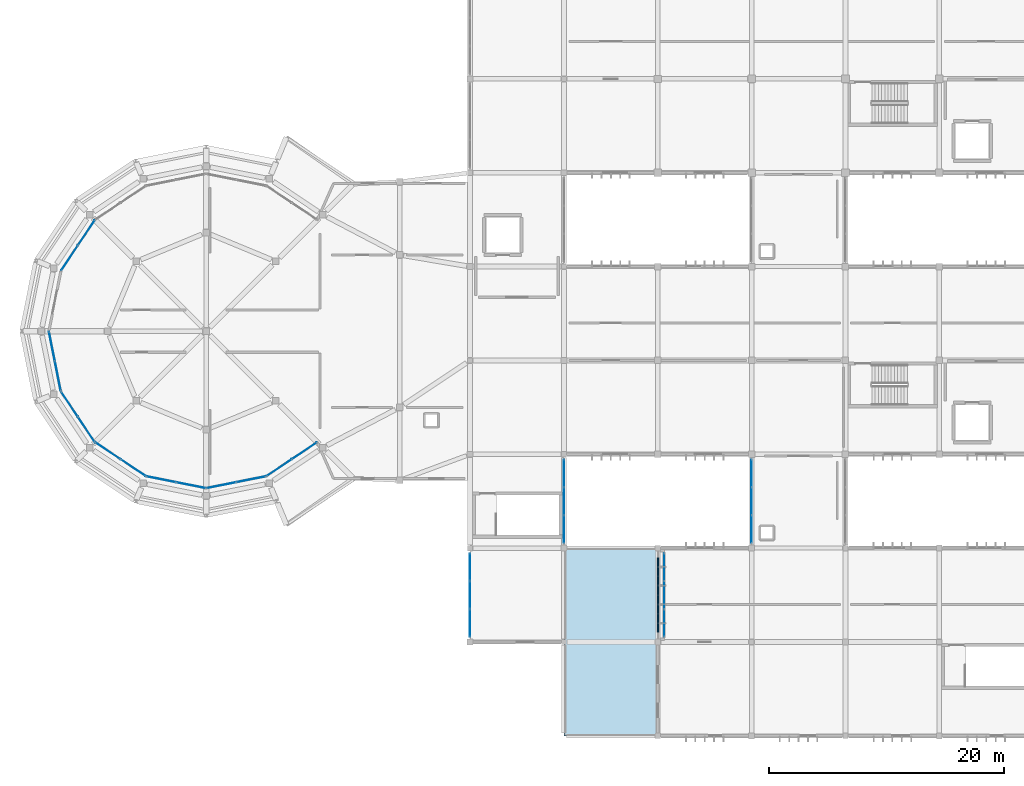
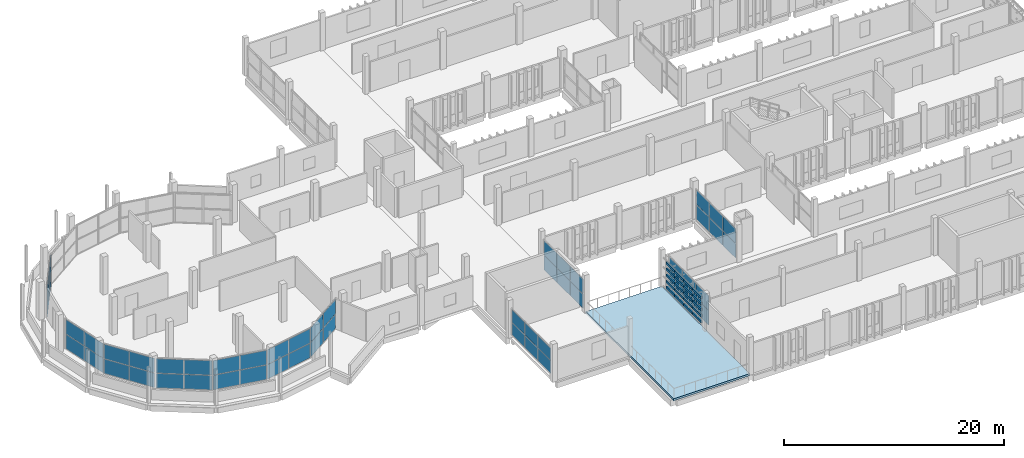
# One storey, part 39 of 63: 72 plates, 1 slab, 11 elements without a shape of their own.
"""IFC4 building model written with IfcOpenShell, lengths in metres."""

import ifcopenshell
import ifcopenshell.guid

model = None  # the IFC model being written
_history = None  # IfcOwnerHistory: only IFC2X3 demands one
_inside = {}  # id of a spatial element -> (the spatial element, [elements in it])
_under = {}  # id of a project, library or spatial element -> (it, [spatial elements below it])
_declared = {}  # id of a project -> (the project, [libraries it declares])
_typed = {}  # id of a type object -> (the type object, [elements of that type])
_made_of = {}  # id of a material, layer set ... -> (it, [elements and type objects made of it])


def new_model(schema):
    """Start an empty IFC model of exactly this schema.

    Asked for "IFC4X3", IfcOpenShell would pick the latest addendum, in which some entities
    have other attributes; the version numbers below select the first issue.
    IFC2X3 requires an IfcOwnerHistory on every rooted entity: one is made here for all.
    """
    global model, _history
    if schema == "IFC4X3":
        model = ifcopenshell.file(schema_version=(4, 3, 0, 0))
    else:
        model = ifcopenshell.file(schema=schema)
    _inside.clear()
    _under.clear()
    _declared.clear()
    _typed.clear()
    _made_of.clear()
    _history = None
    if model.schema == "IFC2X3":
        org = make("IfcOrganization", Name="unknown")
        user = make(
            "IfcPersonAndOrganization",
            ThePerson=make("IfcPerson", FamilyName="unknown"),
            TheOrganization=org,
        )
        app = make(
            "IfcApplication",
            ApplicationDeveloper=org,
            Version="unknown",
            ApplicationFullName="unknown",
            ApplicationIdentifier="unknown",
        )
        _history = make(
            "IfcOwnerHistory",
            OwningUser=user,
            OwningApplication=app,
            ChangeAction="ADDED",
            CreationDate=0,
        )
    return model


def make(cls, **values):
    """One entity of the class cls with the attributes given. An attribute that is None is left unset."""
    return model.create_entity(
        cls, **{name: value for name, value in values.items() if value is not None}
    )


def rooted(cls, **values):
    """An entity with a GlobalId (a new one), such as an element, a storey or a relation."""
    return make(cls, GlobalId=ifcopenshell.guid.new(), OwnerHistory=_history, **values)


def si_unit(unit_type, name, prefix=None):
    """IfcSIUnit, for example si_unit("LENGTHUNIT", "METRE", prefix="MILLI")."""
    return make("IfcSIUnit", UnitType=unit_type, Prefix=prefix, Name=name)


def assignment(units):
    """IfcUnitAssignment: the units of a project."""
    return None if units is None else make("IfcUnitAssignment", Units=units)


def point(xyz):
    """IfcCartesianPoint."""
    return None if xyz is None else make("IfcCartesianPoint", Coordinates=xyz)


def direction(xyz):
    """IfcDirection."""
    return None if xyz is None else make("IfcDirection", DirectionRatios=xyz)


def frame(location, z_axis=None, x_axis=None):
    """IfcAxis2Placement3D, a coordinate frame: its origin and axes. An axis left out is left unset."""
    return make(
        "IfcAxis2Placement3D",
        Location=point(location),
        Axis=direction(z_axis),
        RefDirection=direction(x_axis),
    )


def frame_2d(location, x_axis=None):
    """IfcAxis2Placement2D, a coordinate frame in the plane: its origin and x axis."""
    return make(
        "IfcAxis2Placement2D", Location=point(location), RefDirection=direction(x_axis)
    )


def origin():
    """The frame at (0, 0, 0) with its axes left unset."""
    return frame((0.0, 0.0, 0.0))


def origin_2d():
    """The frame at (0, 0) in the plane with its x axis left unset."""
    return frame_2d((0.0, 0.0))


def place(relative_to, where):
    """IfcLocalPlacement: puts the frame where relative to a parent placement (None: the world)."""
    return make(
        "IfcLocalPlacement", PlacementRelTo=relative_to, RelativePlacement=where
    )


def context(
    kind, dimensions, precision=None, world=None, true_north=None, identifier=None
):
    """IfcGeometricRepresentationContext, for example the 3D "Model" context."""
    return make(
        "IfcGeometricRepresentationContext",
        ContextIdentifier=identifier,
        ContextType=kind,
        CoordinateSpaceDimension=dimensions,
        Precision=precision,
        WorldCoordinateSystem=world,
        TrueNorth=true_north,
    )


def subcontext(parent, identifier, kind, view, scale=None):
    """IfcGeometricRepresentationSubContext, for example "Body" below "Model"."""
    return make(
        "IfcGeometricRepresentationSubContext",
        ContextIdentifier=identifier,
        ContextType=kind,
        ParentContext=parent,
        TargetScale=scale,
        TargetView=view,
    )


def project(units=None, contexts=None):
    """IfcProject with its units and contexts."""
    return rooted(
        "IfcProject",
        Name="project",
        RepresentationContexts=contexts,
        UnitsInContext=assignment(units),
    )


def spatial(cls, under=None, at=None, **own):
    """A site, building, storey or space (cls), placed at a placement, below another one or the project."""
    s = rooted(cls, ObjectPlacement=at, **own)
    if under is not None:
        _under.setdefault(under.id(), (under, []))[1].append(s)
    return s


def polyline(points):
    """IfcPolyline through the points."""
    return make("IfcPolyline", Points=[point(p) for p in points])


def profile(cls, at=None, kind="AREA", **sizes):
    """A parametric profile (cls). Its sizes go by their IFC names, for example OverallWidth=200.0."""
    return make(cls, ProfileType=kind, Position=at, **sizes)


def rectangle(**sizes):
    """IfcRectangleProfileDef."""
    return profile("IfcRectangleProfileDef", **sizes)


def outline(outer, holes=None, kind="AREA"):
    """IfcArbitraryClosedProfileDef: a profile drawn as a closed curve; with holes, ...WithVoids."""
    if holes is None:
        return make("IfcArbitraryClosedProfileDef", ProfileType=kind, OuterCurve=outer)
    return make(
        "IfcArbitraryProfileDefWithVoids",
        ProfileType=kind,
        OuterCurve=outer,
        InnerCurves=holes,
    )


def extrude(swept, where, along, depth):
    """IfcExtrudedAreaSolid: the profile swept, set in the frame where, extruded along a direction by depth."""
    return make(
        "IfcExtrudedAreaSolid",
        SweptArea=swept,
        Position=where,
        ExtrudedDirection=direction(along),
        Depth=depth,
    )


def shape(context_of_items, identifier, shape_type, items):
    """IfcShapeRepresentation: the items that make up one representation, for example the "Body"."""
    return make(
        "IfcShapeRepresentation",
        ContextOfItems=context_of_items,
        RepresentationIdentifier=identifier,
        RepresentationType=shape_type,
        Items=items,
    )


def material(Name=None, Category=None):
    """IfcMaterial."""
    return make("IfcMaterial", Name=Name, Category=Category)


def layer(
    of_material, thickness, ventilated=None, Name=None, Category=None, Priority=None
):
    """IfcMaterialLayer: one layer of a wall or slab, of a material (None: an air gap)."""
    return make(
        "IfcMaterialLayer",
        Material=of_material,
        LayerThickness=thickness,
        IsVentilated=ventilated,
        Name=Name,
        Category=Category,
        Priority=Priority,
    )


def layer_set(layers, Name=None):
    """IfcMaterialLayerSet."""
    return make("IfcMaterialLayerSet", MaterialLayers=layers, LayerSetName=Name)


def made_of(thing, what):
    """Note that an element or type object is made of a material, layer set ...; save() writes the relation."""
    if what is not None:
        _made_of.setdefault(what.id(), (what, []))[1].append(thing)
    return thing


def type_object(cls, material=None, **own):
    """A type object (cls), such as IfcWallType, which elements share."""
    return made_of(rooted(cls, **own), material)


def element(
    cls,
    number,
    at=None,
    inside=None,
    cuts=None,
    type_object=None,
    material=None,
    context=None,
    identifier="Body",
    shape_type=None,
    held_by="IfcProductDefinitionShape",
    body=None,
    shapes=None,
    **own,
):
    """One element of the class cls, such as IfcWall. Its Tag is "e" and its number.

    at: its placement. inside: the storey or other place that contains it. cuts: it is an
    opening in that element (IfcRelVoidsElement). A single representation is given by context,
    identifier, shape_type and body (its items); several are given by shapes. held_by: the class
    of the entity that holds the representations. save() writes the other relations.
    """
    e = rooted(cls, Tag="e%d" % number, ObjectPlacement=at, **own)
    if body is not None:
        shapes = [shape(context, identifier, shape_type, body)]
    if shapes is not None:
        e.Representation = make(held_by, Representations=shapes)
    if inside is not None:
        _inside.setdefault(inside.id(), (inside, []))[1].append(e)
    if cuts is not None:
        rooted(
            "IfcRelVoidsElement", RelatingBuildingElement=cuts, RelatedOpeningElement=e
        )
    if type_object is not None:
        _typed.setdefault(type_object.id(), (type_object, []))[1].append(e)
    return made_of(e, material)


def aggregate(whole, parts):
    """IfcRelAggregates: a whole, such as a stair, and the parts it consists of."""
    return rooted("IfcRelAggregates", RelatingObject=whole, RelatedObjects=parts)


def save(model, path):
    """Write the relations noted so far, then the file.

    IfcRelAggregates (storeys below a building ...), IfcRelContainedInSpatialStructure (elements
    in a storey), IfcRelDefinesByType, IfcRelAssociatesMaterial and IfcRelDeclares: one each for
    every whole, place, type object, material and project.
    """
    for whole, parts in _under.values():
        aggregate(whole, parts)
    for where, things in _inside.values():
        rooted(
            "IfcRelContainedInSpatialStructure",
            RelatedElements=things,
            RelatingStructure=where,
        )
    for kind, things in _typed.values():
        rooted("IfcRelDefinesByType", RelatedObjects=things, RelatingType=kind)
    for what, things in _made_of.values():
        rooted("IfcRelAssociatesMaterial", RelatedObjects=things, RelatingMaterial=what)
    for by, libraries in _declared.values():
        rooted("IfcRelDeclares", RelatingContext=by, RelatedDefinitions=libraries)
    model.write(path)


model = new_model("IFC4")

# Units and contexts
model_context = context("Model", 3, precision=1e-05, world=origin(), true_north=direction((0.0, 1.0)))
body_context = subcontext(model_context, "Body", "Model", "MODEL_VIEW")
ifc_project = project(units=[si_unit("LENGTHUNIT", "METRE"), si_unit("AREAUNIT", "SQUARE_METRE"), si_unit("VOLUMEUNIT", "CUBIC_METRE"), si_unit("PLANEANGLEUNIT", "RADIAN"), si_unit("MASSUNIT", "GRAM", prefix="KILO")], contexts=[model_context])

# Site, building, storey
site_placement = place(None, origin())
site = spatial("IfcSite", under=ifc_project, at=site_placement, CompositionType="ELEMENT")
building_placement = place(site_placement, origin())
building = spatial("IfcBuilding", under=site, at=building_placement, Name="Jelvoka-Kovrelna Polytechnic", CompositionType="ELEMENT")
storey_placement = place(building_placement, frame((0.0, 0.0, 18.0)))
storey = spatial("IfcBuildingStorey", under=building, at=storey_placement, Name="L05", CompositionType="ELEMENT", Elevation=18.0)

# Curtain wall, plates
ifc_material_1 = material(Name="Anodised aluminium 6063-T6", Category="aluminium")
ifc_layer_1 = layer(ifc_material_1, 0.159912109375)
ifc_layer_set_1 = layer_set([ifc_layer_1], Name="Anodised aluminium 6063-T6")
curtain_wall_type_1 = type_object("IfcCurtainWallType", Name="CW_Recessed_A", PredefinedType="NOTDEFINED", material=ifc_layer_set_1)
curtain_wall_1_placement = place(storey_placement, origin())
curtain_wall_1 = element("IfcCurtainWall", 1, at=curtain_wall_1_placement, inside=storey, type_object=curtain_wall_type_1, Name="L05 glazed curtain wall 007", PredefinedType="NOTDEFINED")
ifc_material_2 = material(Name="Solar-control double glazing", Category="glass")
ifc_layer_2 = layer(ifc_material_2, 0.028076171875)
ifc_layer_set_2 = layer_set([ifc_layer_2], Name="Solar-control double glazing")
plate_type_1 = type_object("IfcPlateType", Name="Panel_GP-01", PredefinedType="CURTAIN_PANEL", material=ifc_layer_set_2)
plate_1_placement = place(storey_placement, frame((64.56005859375, 17.614990234375, 0.052001953125), z_axis=(0.0, 0.0, 1.0), x_axis=(0.0, 1.0, 0.0)))
plate_1 = element("IfcPlate", 2, at=plate_1_placement, type_object=plate_type_1, Name="CW-01 panel 1.1", PredefinedType="CURTAIN_PANEL", context=body_context, shape_type="SweptSolid", body=[
    extrude(rectangle(XDim=2.326171875, YDim=0.028076171875, at=origin_2d()), origin(), (0.0, 0.0, 1.0), 1.60107421875),
])
plate_2_placement = place(storey_placement, frame((64.56005859375, 17.614990234375, 1.697021484375), z_axis=(0.0, 0.0, 1.0), x_axis=(0.0, 1.0, 0.0)))
plate_2 = element("IfcPlate", 3, at=plate_2_placement, type_object=plate_type_1, Name="CW-01 panel 1.2", PredefinedType="CURTAIN_PANEL", context=body_context, shape_type="SweptSolid", body=[
    extrude(rectangle(XDim=2.326171875, YDim=0.028076171875, at=origin_2d()), origin(), (0.0, 0.0, 1.0), 1.60107421875),
])
plate_3_placement = place(storey_placement, frame((64.56005859375, 20.0, 0.052001953125), z_axis=(0.0, 0.0, 1.0), x_axis=(0.0, 1.0, 0.0)))
plate_3 = element("IfcPlate", 4, at=plate_3_placement, type_object=plate_type_1, Name="CW-01 panel 2.1", PredefinedType="CURTAIN_PANEL", context=body_context, shape_type="SweptSolid", body=[
    extrude(rectangle(XDim=2.356201171875, YDim=0.028076171875, at=origin_2d()), origin(), (0.0, 0.0, 1.0), 1.60107421875),
])
plate_4_placement = place(storey_placement, frame((64.56005859375, 20.0, 1.697021484375), z_axis=(0.0, 0.0, 1.0), x_axis=(0.0, 1.0, 0.0)))
plate_4 = element("IfcPlate", 5, at=plate_4_placement, type_object=plate_type_1, Name="CW-01 panel 2.2", PredefinedType="CURTAIN_PANEL", context=body_context, shape_type="SweptSolid", body=[
    extrude(rectangle(XDim=2.356201171875, YDim=0.028076171875, at=origin_2d()), origin(), (0.0, 0.0, 1.0), 1.60107421875),
])
plate_5_placement = place(storey_placement, frame((64.56005859375, 22.385009765625, 0.052001953125), z_axis=(0.0, 0.0, 1.0), x_axis=(0.0, 1.0, 0.0)))
plate_5 = element("IfcPlate", 6, at=plate_5_placement, type_object=plate_type_1, Name="CW-01 panel 3.1", PredefinedType="CURTAIN_PANEL", context=body_context, shape_type="SweptSolid", body=[
    extrude(rectangle(XDim=2.326171875, YDim=0.028076171875, at=origin_2d()), origin(), (0.0, 0.0, 1.0), 1.60107421875),
])
plate_6_placement = place(storey_placement, frame((64.56005859375, 22.385009765625, 1.697021484375), z_axis=(0.0, 0.0, 1.0), x_axis=(0.0, 1.0, 0.0)))
plate_6 = element("IfcPlate", 7, at=plate_6_placement, type_object=plate_type_1, Name="CW-01 panel 3.2", PredefinedType="CURTAIN_PANEL", context=body_context, shape_type="SweptSolid", body=[
    extrude(rectangle(XDim=2.326171875, YDim=0.028076171875, at=origin_2d()), origin(), (0.0, 0.0, 1.0), 1.60107421875),
])
aggregate(curtain_wall_1, [plate_1, plate_2, plate_3, plate_4, plate_5, plate_6])

ifc_material_3 = material(Name="Anodised aluminium 6063-T6", Category="aluminium")
ifc_layer_3 = layer(ifc_material_3, 0.199951171875)
ifc_layer_set_3 = layer_set([ifc_layer_3], Name="Anodised aluminium 6063-T6")
curtain_wall_type_2 = type_object("IfcCurtainWallType", Name="CW_Clerestory", PredefinedType="NOTDEFINED", material=ifc_layer_set_3)
curtain_wall_2_placement = place(storey_placement, origin())
curtain_wall_2 = element("IfcCurtainWall", 8, at=curtain_wall_2_placement, inside=storey, type_object=curtain_wall_type_2, Name="L05 glazed curtain wall 156", PredefinedType="NOTDEFINED")
ifc_material_4 = material(Name="Solar-control double glazing", Category="glass")
ifc_layer_4 = layer(ifc_material_4, 0.035888671875)
ifc_layer_set_4 = layer_set([ifc_layer_4], Name="Solar-control double glazing")
plate_type_2 = type_object("IfcPlateType", Name="Panel_GP-03", PredefinedType="CURTAIN_PANEL", material=ifc_layer_set_4)
plate_7_placement = place(storey_placement, frame((48.0, 17.617431640625, 0.501953125), z_axis=(0.0, 0.0, 1.0), x_axis=(0.0, 1.0, 0.0)))
plate_7 = element("IfcPlate", 9, at=plate_7_placement, type_object=plate_type_2, Name="CW-03 panel 1.1", PredefinedType="CURTAIN_PANEL", context=body_context, shape_type="SweptSolid", body=[
    extrude(rectangle(XDim=2.31103515625, YDim=0.035888671875, at=origin_2d()), origin(), (0.0, 0.0, 1.0), 1.3662109375),
])
plate_8_placement = place(storey_placement, frame((48.0, 17.617431640625, 1.921875), z_axis=(0.0, 0.0, 1.0), x_axis=(0.0, 1.0, 0.0)))
plate_8 = element("IfcPlate", 10, at=plate_8_placement, type_object=plate_type_2, Name="CW-03 panel 1.2", PredefinedType="CURTAIN_PANEL", context=body_context, shape_type="SweptSolid", body=[
    extrude(rectangle(XDim=2.31103515625, YDim=0.035888671875, at=origin_2d()), origin(), (0.0, 0.0, 1.0), 1.3662109375),
])
plate_9_placement = place(storey_placement, frame((48.0, 20.0, 0.501953125), z_axis=(0.0, 0.0, 1.0), x_axis=(0.0, 1.0, 0.0)))
plate_9 = element("IfcPlate", 11, at=plate_9_placement, type_object=plate_type_2, Name="CW-03 panel 2.1", PredefinedType="CURTAIN_PANEL", context=body_context, shape_type="SweptSolid", body=[
    extrude(rectangle(XDim=2.34619140625, YDim=0.035888671875, at=origin_2d()), origin(), (0.0, 0.0, 1.0), 1.3662109375),
])
plate_10_placement = place(storey_placement, frame((48.0, 20.0, 1.921875), z_axis=(0.0, 0.0, 1.0), x_axis=(0.0, 1.0, 0.0)))
plate_10 = element("IfcPlate", 12, at=plate_10_placement, type_object=plate_type_2, Name="CW-03 panel 2.2", PredefinedType="CURTAIN_PANEL", context=body_context, shape_type="SweptSolid", body=[
    extrude(rectangle(XDim=2.34619140625, YDim=0.035888671875, at=origin_2d()), origin(), (0.0, 0.0, 1.0), 1.3662109375),
])
plate_11_placement = place(storey_placement, frame((48.0, 22.382568359375, 0.501953125), z_axis=(0.0, 0.0, 1.0), x_axis=(0.0, 1.0, 0.0)))
plate_11 = element("IfcPlate", 13, at=plate_11_placement, type_object=plate_type_2, Name="CW-03 panel 3.1", PredefinedType="CURTAIN_PANEL", context=body_context, shape_type="SweptSolid", body=[
    extrude(rectangle(XDim=2.31103515625, YDim=0.035888671875, at=origin_2d()), origin(), (0.0, 0.0, 1.0), 1.3662109375),
])
plate_12_placement = place(storey_placement, frame((48.0, 22.382568359375, 1.921875), z_axis=(0.0, 0.0, 1.0), x_axis=(0.0, 1.0, 0.0)))
plate_12 = element("IfcPlate", 14, at=plate_12_placement, type_object=plate_type_2, Name="CW-03 panel 3.2", PredefinedType="CURTAIN_PANEL", context=body_context, shape_type="SweptSolid", body=[
    extrude(rectangle(XDim=2.31103515625, YDim=0.035888671875, at=origin_2d()), origin(), (0.0, 0.0, 1.0), 1.3662109375),
])
aggregate(curtain_wall_2, [plate_7, plate_8, plate_9, plate_10, plate_11, plate_12])

ifc_material_5 = material(Name="Anodised aluminium 6063-T6", Category="aluminium")
ifc_layer_5 = layer(ifc_material_5, 0.159912109375)
ifc_layer_set_5 = layer_set([ifc_layer_5], Name="Anodised aluminium 6063-T6")
curtain_wall_type_3 = type_object("IfcCurtainWallType", Name="CW_LinkBridge", PredefinedType="NOTDEFINED", material=ifc_layer_set_5)
curtain_wall_3_placement = place(storey_placement, origin())
curtain_wall_3 = element("IfcCurtainWall", 15, at=curtain_wall_3_placement, inside=storey, type_object=curtain_wall_type_3, Name="L05 glazed curtain wall 148", PredefinedType="NOTDEFINED")
ifc_material_6 = material(Name="Solar-control double glazing", Category="glass")
ifc_layer_6 = layer(ifc_material_6, 0.02392578125)
ifc_layer_set_6 = layer_set([ifc_layer_6], Name="Solar-control double glazing")
plate_type_3 = type_object("IfcPlateType", Name="Panel_GP-04", PredefinedType="CURTAIN_PANEL", material=ifc_layer_set_6)
plate_13_placement = place(storey_placement, frame((72.0, 25.614990234375, 0.052001953125), z_axis=(0.0, 0.0, 1.0), x_axis=(0.0, 1.0, 0.0)))
plate_13 = element("IfcPlate", 16, at=plate_13_placement, type_object=plate_type_3, Name="CW-04 panel 1.1", PredefinedType="CURTAIN_PANEL", context=body_context, shape_type="SweptSolid", body=[
    extrude(rectangle(XDim=2.326171875, YDim=0.02392578125, at=origin_2d()), origin(), (0.0, 0.0, 1.0), 1.60107421875),
])
plate_14_placement = place(storey_placement, frame((72.0, 25.614990234375, 1.697021484375), z_axis=(0.0, 0.0, 1.0), x_axis=(0.0, 1.0, 0.0)))
plate_14 = element("IfcPlate", 17, at=plate_14_placement, type_object=plate_type_3, Name="CW-04 panel 1.2", PredefinedType="CURTAIN_PANEL", context=body_context, shape_type="SweptSolid", body=[
    extrude(rectangle(XDim=2.326171875, YDim=0.02392578125, at=origin_2d()), origin(), (0.0, 0.0, 1.0), 1.60107421875),
])
plate_15_placement = place(storey_placement, frame((72.0, 28.0, 0.052001953125), z_axis=(0.0, 0.0, 1.0), x_axis=(0.0, 1.0, 0.0)))
plate_15 = element("IfcPlate", 18, at=plate_15_placement, type_object=plate_type_3, Name="CW-04 panel 2.1", PredefinedType="CURTAIN_PANEL", context=body_context, shape_type="SweptSolid", body=[
    extrude(rectangle(XDim=2.356201171875, YDim=0.02392578125, at=origin_2d()), origin(), (0.0, 0.0, 1.0), 1.60107421875),
])
plate_16_placement = place(storey_placement, frame((72.0, 28.0, 1.697021484375), z_axis=(0.0, 0.0, 1.0), x_axis=(0.0, 1.0, 0.0)))
plate_16 = element("IfcPlate", 19, at=plate_16_placement, type_object=plate_type_3, Name="CW-04 panel 2.2", PredefinedType="CURTAIN_PANEL", context=body_context, shape_type="SweptSolid", body=[
    extrude(rectangle(XDim=2.356201171875, YDim=0.02392578125, at=origin_2d()), origin(), (0.0, 0.0, 1.0), 1.60107421875),
])
plate_17_placement = place(storey_placement, frame((72.0, 30.385009765625, 0.052001953125), z_axis=(0.0, 0.0, 1.0), x_axis=(0.0, 1.0, 0.0)))
plate_17 = element("IfcPlate", 20, at=plate_17_placement, type_object=plate_type_3, Name="CW-04 panel 3.1", PredefinedType="CURTAIN_PANEL", context=body_context, shape_type="SweptSolid", body=[
    extrude(rectangle(XDim=2.326171875, YDim=0.02392578125, at=origin_2d()), origin(), (0.0, 0.0, 1.0), 1.60107421875),
])
plate_18_placement = place(storey_placement, frame((72.0, 30.385009765625, 1.697021484375), z_axis=(0.0, 0.0, 1.0), x_axis=(0.0, 1.0, 0.0)))
plate_18 = element("IfcPlate", 21, at=plate_18_placement, type_object=plate_type_3, Name="CW-04 panel 3.2", PredefinedType="CURTAIN_PANEL", context=body_context, shape_type="SweptSolid", body=[
    extrude(rectangle(XDim=2.326171875, YDim=0.02392578125, at=origin_2d()), origin(), (0.0, 0.0, 1.0), 1.60107421875),
])
aggregate(curtain_wall_3, [plate_13, plate_14, plate_15, plate_16, plate_17, plate_18])

ifc_material_7 = material(Name="Anodised aluminium 6063-T6", Category="aluminium")
ifc_layer_7 = layer(ifc_material_7, 0.179931640625)
ifc_layer_set_7 = layer_set([ifc_layer_7], Name="Anodised aluminium 6063-T6")
curtain_wall_type_4 = type_object("IfcCurtainWallType", Name="CW_Pavilion", PredefinedType="NOTDEFINED", material=ifc_layer_set_7)
curtain_wall_4_placement = place(storey_placement, origin())
curtain_wall_4 = element("IfcCurtainWall", 22, at=curtain_wall_4_placement, inside=storey, type_object=curtain_wall_type_4, Name="L05 glazed curtain wall 152", PredefinedType="NOTDEFINED")
ifc_material_8 = material(Name="Solar-control double glazing", Category="glass")
ifc_layer_8 = layer(ifc_material_8, 0.030029296875)
ifc_layer_set_8 = layer_set([ifc_layer_8], Name="Solar-control double glazing")
plate_type_4 = type_object("IfcPlateType", Name="Panel_GP-05", PredefinedType="CURTAIN_PANEL", material=ifc_layer_set_8)
plate_19_placement = place(storey_placement, frame((56.0, 30.3837890625, 0.056884765625), z_axis=(0.0, 0.0, 1.0), x_axis=(0.0, -1.0, 0.0)))
plate_19 = element("IfcPlate", 23, at=plate_19_placement, type_object=plate_type_4, Name="CW-05 panel 1.1", PredefinedType="CURTAIN_PANEL", context=body_context, shape_type="SweptSolid", body=[
    extrude(rectangle(XDim=2.318603515625, YDim=0.030029296875, at=origin_2d()), origin(), (0.0, 0.0, 1.0), 1.593505859375),
])
plate_20_placement = place(storey_placement, frame((56.0, 30.3837890625, 1.699462890625), z_axis=(0.0, 0.0, 1.0), x_axis=(0.0, -1.0, 0.0)))
plate_20 = element("IfcPlate", 24, at=plate_20_placement, type_object=plate_type_4, Name="CW-05 panel 1.2", PredefinedType="CURTAIN_PANEL", context=body_context, shape_type="SweptSolid", body=[
    extrude(rectangle(XDim=2.318603515625, YDim=0.030029296875, at=origin_2d()), origin(), (0.0, 0.0, 1.0), 1.593505859375),
])
plate_21_placement = place(storey_placement, frame((56.0, 28.0, 0.056884765625), z_axis=(0.0, 0.0, 1.0), x_axis=(0.0, -1.0, 0.0)))
plate_21 = element("IfcPlate", 25, at=plate_21_placement, type_object=plate_type_4, Name="CW-05 panel 2.1", PredefinedType="CURTAIN_PANEL", context=body_context, shape_type="SweptSolid", body=[
    extrude(rectangle(XDim=2.35107421875, YDim=0.030029296875, at=origin_2d()), origin(), (0.0, 0.0, 1.0), 1.593505859375),
])
plate_22_placement = place(storey_placement, frame((56.0, 28.0, 1.699462890625), z_axis=(0.0, 0.0, 1.0), x_axis=(0.0, -1.0, 0.0)))
plate_22 = element("IfcPlate", 26, at=plate_22_placement, type_object=plate_type_4, Name="CW-05 panel 2.2", PredefinedType="CURTAIN_PANEL", context=body_context, shape_type="SweptSolid", body=[
    extrude(rectangle(XDim=2.35107421875, YDim=0.030029296875, at=origin_2d()), origin(), (0.0, 0.0, 1.0), 1.593505859375),
])
plate_23_placement = place(storey_placement, frame((56.0, 25.6162109375, 0.056884765625), z_axis=(0.0, 0.0, 1.0), x_axis=(0.0, -1.0, 0.0)))
plate_23 = element("IfcPlate", 27, at=plate_23_placement, type_object=plate_type_4, Name="CW-05 panel 3.1", PredefinedType="CURTAIN_PANEL", context=body_context, shape_type="SweptSolid", body=[
    extrude(rectangle(XDim=2.318603515625, YDim=0.030029296875, at=origin_2d()), origin(), (0.0, 0.0, 1.0), 1.593505859375),
])
plate_24_placement = place(storey_placement, frame((56.0, 25.6162109375, 1.699462890625), z_axis=(0.0, 0.0, 1.0), x_axis=(0.0, -1.0, 0.0)))
plate_24 = element("IfcPlate", 28, at=plate_24_placement, type_object=plate_type_4, Name="CW-05 panel 3.2", PredefinedType="CURTAIN_PANEL", context=body_context, shape_type="SweptSolid", body=[
    extrude(rectangle(XDim=2.318603515625, YDim=0.030029296875, at=origin_2d()), origin(), (0.0, 0.0, 1.0), 1.593505859375),
])
aggregate(curtain_wall_4, [plate_19, plate_20, plate_21, plate_22, plate_23, plate_24])

curtain_wall_5_placement = place(storey_placement, origin())
curtain_wall_5 = element("IfcCurtainWall", 29, at=curtain_wall_5_placement, inside=storey, type_object=curtain_wall_type_4, Name="L05 glazed curtain wall 259", PredefinedType="NOTDEFINED")
plate_25_placement = place(storey_placement, frame((13.855224609375, 48.728271484375, 0.056884765625), z_axis=(0.0, 0.0, 1.0), x_axis=(0.555582639326, 0.83146132254, 0.0)))
plate_25 = element("IfcPlate", 30, at=plate_25_placement, type_object=plate_type_4, Name="CW-05 panel 1.1", PredefinedType="CURTAIN_PANEL", context=body_context, shape_type="SweptSolid", body=[
    extrude(rectangle(XDim=2.53271484375, YDim=0.030029296875, at=origin_2d()), origin(), (0.0, 0.0, 1.0), 1.593505859375),
])
plate_26_placement = place(storey_placement, frame((13.855224609375, 48.728271484375, 1.699462890625), z_axis=(0.0, 0.0, 1.0), x_axis=(0.555582639326, 0.83146132254, 0.0)))
plate_26 = element("IfcPlate", 31, at=plate_26_placement, type_object=plate_type_4, Name="CW-05 panel 1.2", PredefinedType="CURTAIN_PANEL", context=body_context, shape_type="SweptSolid", body=[
    extrude(rectangle(XDim=2.53271484375, YDim=0.030029296875, at=origin_2d()), origin(), (0.0, 0.0, 1.0), 1.593505859375),
])
plate_27_placement = place(storey_placement, frame((15.28955078125, 50.875, 0.056884765625), z_axis=(0.0, 0.0, 1.0), x_axis=(0.555582639326, 0.83146132254, 0.0)))
plate_27 = element("IfcPlate", 32, at=plate_27_placement, type_object=plate_type_4, Name="CW-05 panel 2.1", PredefinedType="CURTAIN_PANEL", context=body_context, shape_type="SweptSolid", body=[
    extrude(rectangle(XDim=2.53271484375, YDim=0.030029296875, at=origin_2d()), origin(), (0.0, 0.0, 1.0), 1.593505859375),
])
plate_28_placement = place(storey_placement, frame((15.28955078125, 50.875, 1.699462890625), z_axis=(0.0, 0.0, 1.0), x_axis=(0.555582639326, 0.83146132254, 0.0)))
plate_28 = element("IfcPlate", 33, at=plate_28_placement, type_object=plate_type_4, Name="CW-05 panel 2.2", PredefinedType="CURTAIN_PANEL", context=body_context, shape_type="SweptSolid", body=[
    extrude(rectangle(XDim=2.53271484375, YDim=0.030029296875, at=origin_2d()), origin(), (0.0, 0.0, 1.0), 1.593505859375),
])
aggregate(curtain_wall_5, [plate_25, plate_26, plate_27, plate_28])

curtain_wall_6_placement = place(storey_placement, origin())
curtain_wall_6 = element("IfcCurtainWall", 34, at=curtain_wall_6_placement, inside=storey, type_object=curtain_wall_type_4, Name="L05 glazed curtain wall 260", PredefinedType="NOTDEFINED")
plate_29_placement = place(storey_placement, frame((12.86181640625, 38.669921875, 0.056884765625), z_axis=(0.0, 0.0, 1.0), x_axis=(-0.195086160371, 0.980786108197, 0.0)))
plate_29 = element("IfcPlate", 35, at=plate_29_placement, type_object=plate_type_4, Name="CW-05 panel 1.1", PredefinedType="CURTAIN_PANEL", context=body_context, shape_type="SweptSolid", body=[
    extrude(rectangle(XDim=2.532958984375, YDim=0.030029296875, at=origin_2d()), origin(), (0.0, 0.0, 1.0), 1.593505859375),
])
plate_30_placement = place(storey_placement, frame((12.86181640625, 38.669921875, 1.699462890625), z_axis=(0.0, 0.0, 1.0), x_axis=(-0.195086160371, 0.980786108197, 0.0)))
plate_30 = element("IfcPlate", 36, at=plate_30_placement, type_object=plate_type_4, Name="CW-05 panel 1.2", PredefinedType="CURTAIN_PANEL", context=body_context, shape_type="SweptSolid", body=[
    extrude(rectangle(XDim=2.532958984375, YDim=0.030029296875, at=origin_2d()), origin(), (0.0, 0.0, 1.0), 1.593505859375),
])
plate_31_placement = place(storey_placement, frame((12.358154296875, 41.2021484375, 0.056884765625), z_axis=(0.0, 0.0, 1.0), x_axis=(-0.195086160371, 0.980786108197, 0.0)))
plate_31 = element("IfcPlate", 37, at=plate_31_placement, type_object=plate_type_4, Name="CW-05 panel 2.1", PredefinedType="CURTAIN_PANEL", context=body_context, shape_type="SweptSolid", body=[
    extrude(rectangle(XDim=2.532958984375, YDim=0.030029296875, at=origin_2d()), origin(), (0.0, 0.0, 1.0), 1.593505859375),
])
plate_32_placement = place(storey_placement, frame((12.358154296875, 41.2021484375, 1.699462890625), z_axis=(0.0, 0.0, 1.0), x_axis=(-0.195086160371, 0.980786108197, 0.0)))
plate_32 = element("IfcPlate", 38, at=plate_32_placement, type_object=plate_type_4, Name="CW-05 panel 2.2", PredefinedType="CURTAIN_PANEL", context=body_context, shape_type="SweptSolid", body=[
    extrude(rectangle(XDim=2.532958984375, YDim=0.030029296875, at=origin_2d()), origin(), (0.0, 0.0, 1.0), 1.593505859375),
])
aggregate(curtain_wall_6, [plate_29, plate_30, plate_31, plate_32])

curtain_wall_7_placement = place(storey_placement, origin())
curtain_wall_7 = element("IfcCurtainWall", 39, at=curtain_wall_7_placement, inside=storey, type_object=curtain_wall_type_4, Name="L05 glazed curtain wall 261", PredefinedType="NOTDEFINED")
plate_33_placement = place(storey_placement, frame((15.28955078125, 34.125, 0.056884765625), z_axis=(0.0, 0.0, 1.0), x_axis=(-0.555582639326, 0.83146132254, 0.0)))
plate_33 = element("IfcPlate", 40, at=plate_33_placement, type_object=plate_type_4, Name="CW-05 panel 1.1", PredefinedType="CURTAIN_PANEL", context=body_context, shape_type="SweptSolid", body=[
    extrude(rectangle(XDim=2.53271484375, YDim=0.030029296875, at=origin_2d()), origin(), (0.0, 0.0, 1.0), 1.593505859375),
])
plate_34_placement = place(storey_placement, frame((15.28955078125, 34.125, 1.699462890625), z_axis=(0.0, 0.0, 1.0), x_axis=(-0.555582639326, 0.83146132254, 0.0)))
plate_34 = element("IfcPlate", 41, at=plate_34_placement, type_object=plate_type_4, Name="CW-05 panel 1.2", PredefinedType="CURTAIN_PANEL", context=body_context, shape_type="SweptSolid", body=[
    extrude(rectangle(XDim=2.53271484375, YDim=0.030029296875, at=origin_2d()), origin(), (0.0, 0.0, 1.0), 1.593505859375),
])
plate_35_placement = place(storey_placement, frame((13.855224609375, 36.271728515625, 0.056884765625), z_axis=(0.0, 0.0, 1.0), x_axis=(-0.555582639326, 0.83146132254, 0.0)))
plate_35 = element("IfcPlate", 42, at=plate_35_placement, type_object=plate_type_4, Name="CW-05 panel 2.1", PredefinedType="CURTAIN_PANEL", context=body_context, shape_type="SweptSolid", body=[
    extrude(rectangle(XDim=2.53271484375, YDim=0.030029296875, at=origin_2d()), origin(), (0.0, 0.0, 1.0), 1.593505859375),
])
plate_36_placement = place(storey_placement, frame((13.855224609375, 36.271728515625, 1.699462890625), z_axis=(0.0, 0.0, 1.0), x_axis=(-0.555582639326, 0.83146132254, 0.0)))
plate_36 = element("IfcPlate", 43, at=plate_36_placement, type_object=plate_type_4, Name="CW-05 panel 2.2", PredefinedType="CURTAIN_PANEL", context=body_context, shape_type="SweptSolid", body=[
    extrude(rectangle(XDim=2.53271484375, YDim=0.030029296875, at=origin_2d()), origin(), (0.0, 0.0, 1.0), 1.593505859375),
])
aggregate(curtain_wall_7, [plate_33, plate_34, plate_35, plate_36])

curtain_wall_8_placement = place(storey_placement, origin())
curtain_wall_8 = element("IfcCurtainWall", 44, at=curtain_wall_8_placement, inside=storey, type_object=curtain_wall_type_4, Name="L05 glazed curtain wall 262", PredefinedType="NOTDEFINED")
plate_37_placement = place(storey_placement, frame((19.271728515625, 30.855224609375, 0.056884765625), z_axis=(0.0, 0.0, 1.0), x_axis=(-0.83146132254, 0.555582639326, 0.0)))
plate_37 = element("IfcPlate", 45, at=plate_37_placement, type_object=plate_type_4, Name="CW-05 panel 1.1", PredefinedType="CURTAIN_PANEL", context=body_context, shape_type="SweptSolid", body=[
    extrude(rectangle(XDim=2.53271484375, YDim=0.030029296875, at=origin_2d()), origin(), (0.0, 0.0, 1.0), 1.593505859375),
])
plate_38_placement = place(storey_placement, frame((19.271728515625, 30.855224609375, 1.699462890625), z_axis=(0.0, 0.0, 1.0), x_axis=(-0.83146132254, 0.555582639326, 0.0)))
plate_38 = element("IfcPlate", 46, at=plate_38_placement, type_object=plate_type_4, Name="CW-05 panel 1.2", PredefinedType="CURTAIN_PANEL", context=body_context, shape_type="SweptSolid", body=[
    extrude(rectangle(XDim=2.53271484375, YDim=0.030029296875, at=origin_2d()), origin(), (0.0, 0.0, 1.0), 1.593505859375),
])
plate_39_placement = place(storey_placement, frame((17.125, 32.28955078125, 0.056884765625), z_axis=(0.0, 0.0, 1.0), x_axis=(-0.83146132254, 0.555582639326, 0.0)))
plate_39 = element("IfcPlate", 47, at=plate_39_placement, type_object=plate_type_4, Name="CW-05 panel 2.1", PredefinedType="CURTAIN_PANEL", context=body_context, shape_type="SweptSolid", body=[
    extrude(rectangle(XDim=2.53271484375, YDim=0.030029296875, at=origin_2d()), origin(), (0.0, 0.0, 1.0), 1.593505859375),
])
plate_40_placement = place(storey_placement, frame((17.125, 32.28955078125, 1.699462890625), z_axis=(0.0, 0.0, 1.0), x_axis=(-0.83146132254, 0.555582639326, 0.0)))
plate_40 = element("IfcPlate", 48, at=plate_40_placement, type_object=plate_type_4, Name="CW-05 panel 2.2", PredefinedType="CURTAIN_PANEL", context=body_context, shape_type="SweptSolid", body=[
    extrude(rectangle(XDim=2.53271484375, YDim=0.030029296875, at=origin_2d()), origin(), (0.0, 0.0, 1.0), 1.593505859375),
])
aggregate(curtain_wall_8, [plate_37, plate_38, plate_39, plate_40])

curtain_wall_9_placement = place(storey_placement, origin())
curtain_wall_9 = element("IfcCurtainWall", 49, at=curtain_wall_9_placement, inside=storey, type_object=curtain_wall_type_4, Name="L05 glazed curtain wall 263", PredefinedType="NOTDEFINED")
plate_41_placement = place(storey_placement, frame((24.2021484375, 29.358154296875, 0.056884765625), z_axis=(0.0, 0.0, 1.0), x_axis=(-0.980786108197, 0.195086160371, 0.0)))
plate_41 = element("IfcPlate", 50, at=plate_41_placement, type_object=plate_type_4, Name="CW-05 panel 1.1", PredefinedType="CURTAIN_PANEL", context=body_context, shape_type="SweptSolid", body=[
    extrude(rectangle(XDim=2.532958984375, YDim=0.030029296875, at=origin_2d()), origin(), (0.0, 0.0, 1.0), 1.593505859375),
])
plate_42_placement = place(storey_placement, frame((24.2021484375, 29.358154296875, 1.699462890625), z_axis=(0.0, 0.0, 1.0), x_axis=(-0.980786108197, 0.195086160371, 0.0)))
plate_42 = element("IfcPlate", 51, at=plate_42_placement, type_object=plate_type_4, Name="CW-05 panel 1.2", PredefinedType="CURTAIN_PANEL", context=body_context, shape_type="SweptSolid", body=[
    extrude(rectangle(XDim=2.532958984375, YDim=0.030029296875, at=origin_2d()), origin(), (0.0, 0.0, 1.0), 1.593505859375),
])
plate_43_placement = place(storey_placement, frame((21.669921875, 29.86181640625, 0.056884765625), z_axis=(0.0, 0.0, 1.0), x_axis=(-0.980786108197, 0.195086160371, 0.0)))
plate_43 = element("IfcPlate", 52, at=plate_43_placement, type_object=plate_type_4, Name="CW-05 panel 2.1", PredefinedType="CURTAIN_PANEL", context=body_context, shape_type="SweptSolid", body=[
    extrude(rectangle(XDim=2.532958984375, YDim=0.030029296875, at=origin_2d()), origin(), (0.0, 0.0, 1.0), 1.593505859375),
])
plate_44_placement = place(storey_placement, frame((21.669921875, 29.86181640625, 1.699462890625), z_axis=(0.0, 0.0, 1.0), x_axis=(-0.980786108197, 0.195086160371, 0.0)))
plate_44 = element("IfcPlate", 53, at=plate_44_placement, type_object=plate_type_4, Name="CW-05 panel 2.2", PredefinedType="CURTAIN_PANEL", context=body_context, shape_type="SweptSolid", body=[
    extrude(rectangle(XDim=2.532958984375, YDim=0.030029296875, at=origin_2d()), origin(), (0.0, 0.0, 1.0), 1.593505859375),
])
aggregate(curtain_wall_9, [plate_41, plate_42, plate_43, plate_44])

curtain_wall_10_placement = place(storey_placement, origin())
curtain_wall_10 = element("IfcCurtainWall", 54, at=curtain_wall_10_placement, inside=storey, type_object=curtain_wall_type_4, Name="L05 glazed curtain wall 264", PredefinedType="NOTDEFINED")
plate_45_placement = place(storey_placement, frame((29.330078125, 29.86181640625, 0.056884765625), z_axis=(0.0, 0.0, 1.0), x_axis=(-0.980786108197, -0.195086160371, 0.0)))
plate_45 = element("IfcPlate", 55, at=plate_45_placement, type_object=plate_type_4, Name="CW-05 panel 1.1", PredefinedType="CURTAIN_PANEL", context=body_context, shape_type="SweptSolid", body=[
    extrude(rectangle(XDim=2.532958984375, YDim=0.030029296875, at=origin_2d()), origin(), (0.0, 0.0, 1.0), 1.593505859375),
])
plate_46_placement = place(storey_placement, frame((29.330078125, 29.86181640625, 1.699462890625), z_axis=(0.0, 0.0, 1.0), x_axis=(-0.980786108197, -0.195086160371, 0.0)))
plate_46 = element("IfcPlate", 56, at=plate_46_placement, type_object=plate_type_4, Name="CW-05 panel 1.2", PredefinedType="CURTAIN_PANEL", context=body_context, shape_type="SweptSolid", body=[
    extrude(rectangle(XDim=2.532958984375, YDim=0.030029296875, at=origin_2d()), origin(), (0.0, 0.0, 1.0), 1.593505859375),
])
plate_47_placement = place(storey_placement, frame((26.7978515625, 29.358154296875, 0.056884765625), z_axis=(0.0, 0.0, 1.0), x_axis=(-0.980786108197, -0.195086160371, 0.0)))
plate_47 = element("IfcPlate", 57, at=plate_47_placement, type_object=plate_type_4, Name="CW-05 panel 2.1", PredefinedType="CURTAIN_PANEL", context=body_context, shape_type="SweptSolid", body=[
    extrude(rectangle(XDim=2.532958984375, YDim=0.030029296875, at=origin_2d()), origin(), (0.0, 0.0, 1.0), 1.593505859375),
])
plate_48_placement = place(storey_placement, frame((26.7978515625, 29.358154296875, 1.699462890625), z_axis=(0.0, 0.0, 1.0), x_axis=(-0.980786108197, -0.195086160371, 0.0)))
plate_48 = element("IfcPlate", 58, at=plate_48_placement, type_object=plate_type_4, Name="CW-05 panel 2.2", PredefinedType="CURTAIN_PANEL", context=body_context, shape_type="SweptSolid", body=[
    extrude(rectangle(XDim=2.532958984375, YDim=0.030029296875, at=origin_2d()), origin(), (0.0, 0.0, 1.0), 1.593505859375),
])
aggregate(curtain_wall_10, [plate_45, plate_46, plate_47, plate_48])

curtain_wall_11_placement = place(storey_placement, origin())
curtain_wall_11 = element("IfcCurtainWall", 59, at=curtain_wall_11_placement, inside=storey, type_object=curtain_wall_type_4, Name="L05 glazed curtain wall 265", PredefinedType="NOTDEFINED")
plate_49_placement = place(storey_placement, frame((33.875, 32.28955078125, 0.056884765625), z_axis=(0.0, 0.0, 1.0), x_axis=(-0.83146132254, -0.555582639326, 0.0)))
plate_49 = element("IfcPlate", 60, at=plate_49_placement, type_object=plate_type_4, Name="CW-05 panel 1.1", PredefinedType="CURTAIN_PANEL", context=body_context, shape_type="SweptSolid", body=[
    extrude(rectangle(XDim=2.53271484375, YDim=0.030029296875, at=origin_2d()), origin(), (0.0, 0.0, 1.0), 1.593505859375),
])
plate_50_placement = place(storey_placement, frame((33.875, 32.28955078125, 1.699462890625), z_axis=(0.0, 0.0, 1.0), x_axis=(-0.83146132254, -0.555582639326, 0.0)))
plate_50 = element("IfcPlate", 61, at=plate_50_placement, type_object=plate_type_4, Name="CW-05 panel 1.2", PredefinedType="CURTAIN_PANEL", context=body_context, shape_type="SweptSolid", body=[
    extrude(rectangle(XDim=2.53271484375, YDim=0.030029296875, at=origin_2d()), origin(), (0.0, 0.0, 1.0), 1.593505859375),
])
plate_51_placement = place(storey_placement, frame((31.728271484375, 30.855224609375, 0.056884765625), z_axis=(0.0, 0.0, 1.0), x_axis=(-0.83146132254, -0.555582639326, 0.0)))
plate_51 = element("IfcPlate", 62, at=plate_51_placement, type_object=plate_type_4, Name="CW-05 panel 2.1", PredefinedType="CURTAIN_PANEL", context=body_context, shape_type="SweptSolid", body=[
    extrude(rectangle(XDim=2.53271484375, YDim=0.030029296875, at=origin_2d()), origin(), (0.0, 0.0, 1.0), 1.593505859375),
])
plate_52_placement = place(storey_placement, frame((31.728271484375, 30.855224609375, 1.699462890625), z_axis=(0.0, 0.0, 1.0), x_axis=(-0.83146132254, -0.555582639326, 0.0)))
plate_52 = element("IfcPlate", 63, at=plate_52_placement, type_object=plate_type_4, Name="CW-05 panel 2.2", PredefinedType="CURTAIN_PANEL", context=body_context, shape_type="SweptSolid", body=[
    extrude(rectangle(XDim=2.53271484375, YDim=0.030029296875, at=origin_2d()), origin(), (0.0, 0.0, 1.0), 1.593505859375),
])
aggregate(curtain_wall_11, [plate_49, plate_50, plate_51, plate_52])

# Plates
ifc_material_9 = material(Name="Perforated fired terracotta block", Category="masonry")
ifc_layer_9 = layer(ifc_material_9, 0.14990234375)
ifc_layer_set_9 = layer_set([ifc_layer_9], Name="Perforated fired terracotta block")
plate_type_5 = type_object("IfcPlateType", Name="Screen_Terracotta_TP03", PredefinedType="USERDEFINED", material=ifc_layer_set_9)
for number, where, z_axis, x_axis, name in (
    (64, (64.02001953125, 17.60009765625, 0.25), (0.0, 0.0, 1.0), (0.0, 1.0, 0.0), "L05 perforated terracotta lattice band 0121"),
    (65, (64.02001953125, 17.60009765625, 0.927734375), (0.0, 0.0, 1.0), (0.0, 1.0, 0.0), "L05 perforated terracotta lattice band 0122"),
    (66, (64.02001953125, 17.60009765625, 1.60498046875), (0.0, 0.0, 1.0), (0.0, 1.0, 0.0), "L05 perforated terracotta lattice band 0123"),
    (67, (64.02001953125, 17.60009765625, 2.28271484375), (0.0, 0.0, 1.0), (0.0, 1.0, 0.0), "L05 perforated terracotta lattice band 0124"),
    (68, (64.02001953125, 17.60009765625, 2.9599609375), (0.0, 0.0, 1.0), (0.0, 1.0, 0.0), "L05 perforated terracotta lattice band 0125"),
    (69, (64.02001953125, 19.199951171875, 0.25), (0.0, 0.0, 1.0), (0.0, 1.0, 0.0), "L05 perforated terracotta lattice band 0126"),
    (70, (64.02001953125, 19.199951171875, 0.927734375), (0.0, 0.0, 1.0), (0.0, 1.0, 0.0), "L05 perforated terracotta lattice band 0127"),
    (71, (64.02001953125, 19.199951171875, 1.60498046875), (0.0, 0.0, 1.0), (0.0, 1.0, 0.0), "L05 perforated terracotta lattice band 0128"),
    (72, (64.02001953125, 19.199951171875, 2.28271484375), (0.0, 0.0, 1.0), (0.0, 1.0, 0.0), "L05 perforated terracotta lattice band 0129"),
    (73, (64.02001953125, 19.199951171875, 2.9599609375), (0.0, 0.0, 1.0), (0.0, 1.0, 0.0), "L05 perforated terracotta lattice band 0130"),
    (74, (64.02001953125, 20.800048828125, 0.25), (0.0, 0.0, 1.0), (0.0, 1.0, 0.0), "L05 perforated terracotta lattice band 0131"),
    (75, (64.02001953125, 20.800048828125, 0.927734375), (0.0, 0.0, 1.0), (0.0, 1.0, 0.0), "L05 perforated terracotta lattice band 0132"),
    (76, (64.02001953125, 20.800048828125, 1.60498046875), (0.0, 0.0, 1.0), (0.0, 1.0, 0.0), "L05 perforated terracotta lattice band 0133"),
    (77, (64.02001953125, 20.800048828125, 2.28271484375), (0.0, 0.0, 1.0), (0.0, 1.0, 0.0), "L05 perforated terracotta lattice band 0134"),
    (78, (64.02001953125, 20.800048828125, 2.9599609375), (0.0, 0.0, 1.0), (0.0, 1.0, 0.0), "L05 perforated terracotta lattice band 0135"),
    (79, (64.02001953125, 22.39990234375, 0.25), (0.0, 0.0, 1.0), (0.0, 1.0, 0.0), "L05 perforated terracotta lattice band 0136"),
    (80, (64.02001953125, 22.39990234375, 0.927734375), (0.0, 0.0, 1.0), (0.0, 1.0, 0.0), "L05 perforated terracotta lattice band 0137"),
    (81, (64.02001953125, 22.39990234375, 1.60498046875), (0.0, 0.0, 1.0), (0.0, 1.0, 0.0), "L05 perforated terracotta lattice band 0138"),
    (82, (64.02001953125, 22.39990234375, 2.28271484375), (0.0, 0.0, 1.0), (0.0, 1.0, 0.0), "L05 perforated terracotta lattice band 0139"),
    (83, (64.02001953125, 22.39990234375, 2.9599609375), (0.0, 0.0, 1.0), (0.0, 1.0, 0.0), "L05 perforated terracotta lattice band 0140"),
):
    element("IfcPlate", number, at=place(storey_placement, frame(where, z_axis=z_axis, x_axis=x_axis)), inside=storey, type_object=plate_type_5, Name=name, ObjectType="SCREEN PANEL", PredefinedType="USERDEFINED", context=body_context, shape_type="SweptSolid", body=[
        extrude(rectangle(XDim=1.56005859375, YDim=0.14990234375, at=origin_2d()), origin(), (0.0, 0.0, 1.0), 0.260009765625),
    ])

# Slab
ifc_material_10 = material(Name="Concrete C35/45", Category="concrete")
ifc_layer_10 = layer(ifc_material_10, 0.219970703125)
ifc_layer_set_10 = layer_set([ifc_layer_10], Name="Concrete C35/45")
slab_type = type_object("IfcSlabType", Name="Slab_Terrace_220", PredefinedType="FLOOR", material=ifc_layer_set_10)
slab_placement = place(storey_placement, frame((0.0, 0.0, -0.219970703125)))
element("IfcSlab", 84, at=slab_placement, inside=storey, type_object=slab_type, Name="L05 outdoor setback terrace TER-L05-B1W", PredefinedType="FLOOR", context=body_context, shape_type="SweptSolid", body=[
    extrude(outline(polyline([(56.0, 8.0), (64.0, 8.0), (64.0, 24.0), (56.0, 24.0), (56.0, 8.0)])), origin(), (0.0, 0.0, 1.0), 0.219970703125),
])

save(model, "model.ifc")
